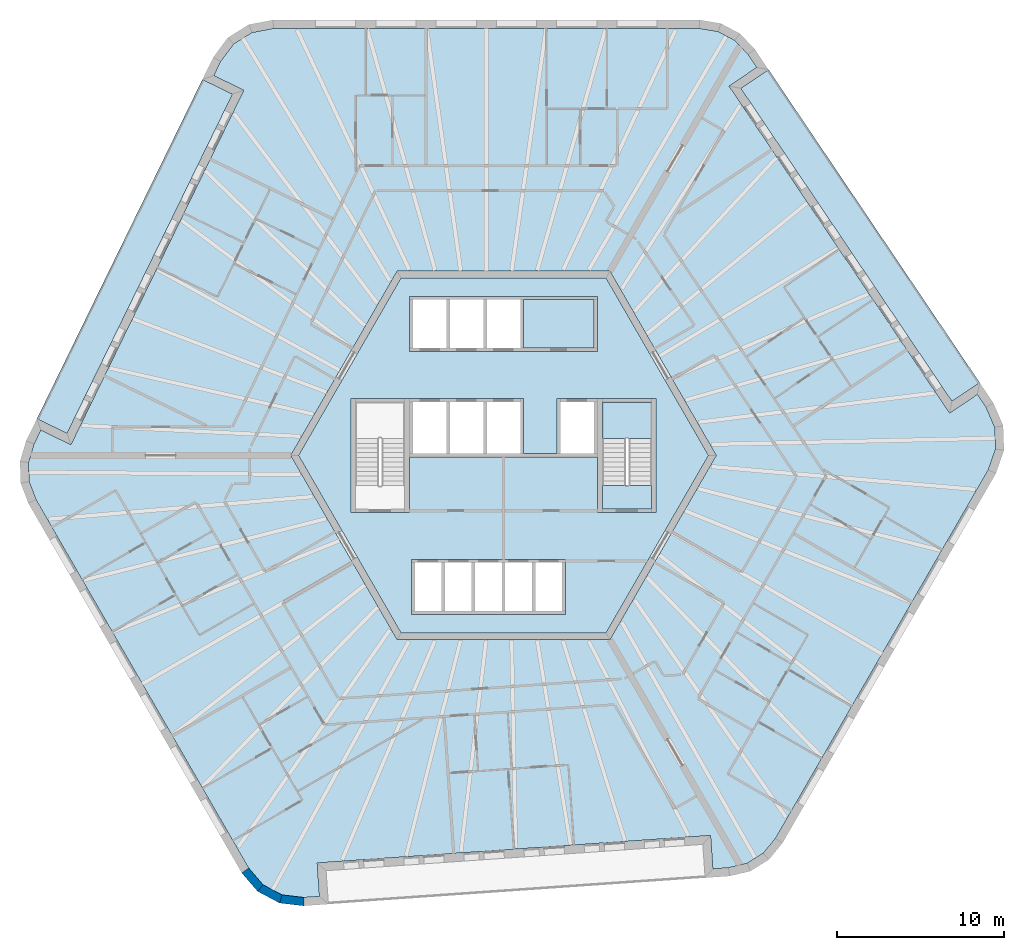
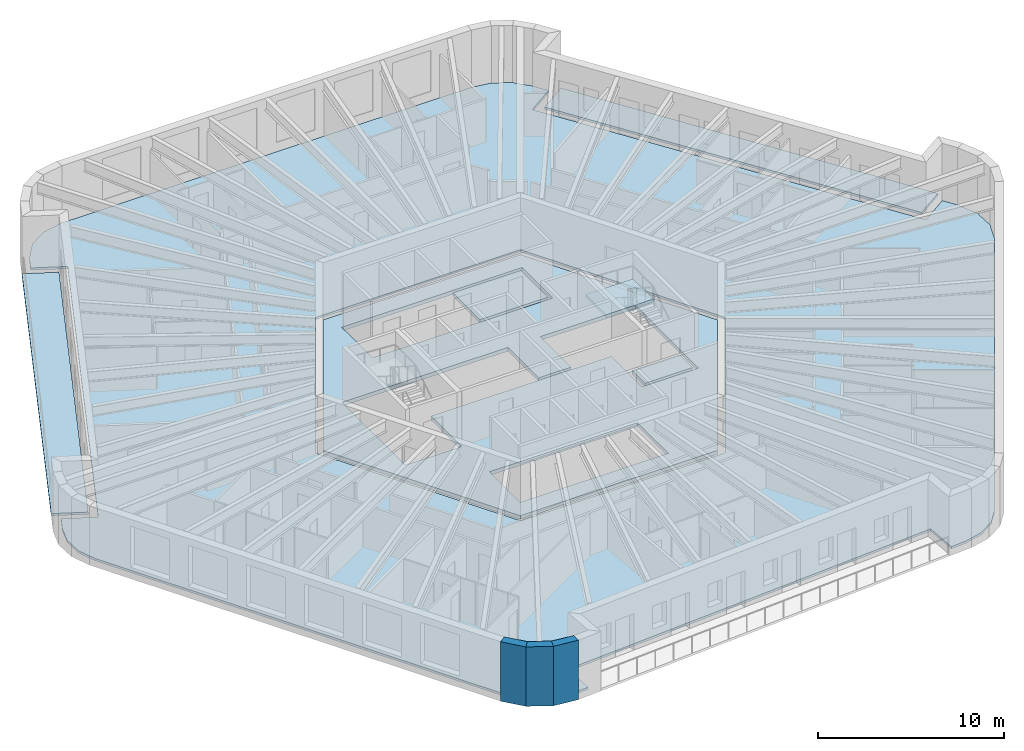
# One storey, part 2 of 12: 7 slabs, 3 walls, 1 element without a shape of its own.
"""IFC4 building model written with IfcOpenShell, lengths in metres."""

from ifc_helpers import new_model, si_unit, direction, frame, origin, place, context, subcontext, project, spatial, polyline, outline, extrude, material, layer, layer_set, type_object, element, aggregate, save


model = new_model("IFC4")

# Units and contexts
model_context = context("Model", 3, precision=1e-05, world=origin(), true_north=direction((0.0, 1.0)))
body_context = subcontext(model_context, "Body", "Model", "MODEL_VIEW")
ifc_project = project(units=[si_unit("LENGTHUNIT", "METRE"), si_unit("AREAUNIT", "SQUARE_METRE"), si_unit("VOLUMEUNIT", "CUBIC_METRE"), si_unit("PLANEANGLEUNIT", "RADIAN"), si_unit("MASSUNIT", "GRAM", prefix="KILO")], contexts=[model_context])

# Site, building, storey
site_placement = place(None, origin())
site = spatial("IfcSite", under=ifc_project, at=site_placement, CompositionType="ELEMENT")
building_placement = place(site_placement, origin())
building = spatial("IfcBuilding", under=site, at=building_placement, Name="Tarnside Tower", CompositionType="ELEMENT")
storey_placement = place(building_placement, frame((0.0, 0.0, 260.10009765625)))
storey = spatial("IfcBuildingStorey", under=building, at=storey_placement, Name="L62", CompositionType="ELEMENT", Elevation=260.10009765625)

# Slabs
ifc_material_1 = material(Name="Concrete C35/45", Category="concrete")
ifc_layer_1 = layer(ifc_material_1, 0.14990234375)
ifc_layer_set_1 = layer_set([ifc_layer_1], Name="Composite floor slab 150")
slab_type_1 = type_object("IfcSlabType", Name="Composite floor slab 150", PredefinedType="FLOOR", material=ifc_layer_set_1)
slab_1_placement = place(storey_placement, frame((0.0, 0.0, -0.150146484375)))
element("IfcSlab", 1, at=slab_1_placement, inside=storey, type_object=slab_type_1, Name="Floor slab L62", PredefinedType="FLOOR", context=body_context, shape_type="SweptSolid", body=[
    extrude(outline(polyline([(12.81689453125, 25.312744140625), (13.818115234375, 24.7802734375), (14.610595703125, 23.940185546875), (15.130615234375, 23.169677734375), (13.472412109375, 22.05126953125), (26.638427734375, 2.53173828125), (28.29638671875, 3.650146484375), (28.814697265625, 2.8818359375), (29.336669921875, 1.671875), (29.3818359375, 0.378662109375), (28.945556640625, -0.864990234375), (16.2451171875, -22.86279296875), (15.51318359375, -23.756103515625), (14.55126953125, -24.35693359375), (13.427490234375, -24.623291015625), (12.500244140625, -24.688232421875), (12.360595703125, -22.693115234375), (-11.126708984375, -24.33544921875), (-10.9873046875, -26.33056640625), (-11.91162109375, -26.395263671875), (-13.220458984375, -26.2421875), (-14.363037109375, -25.634765625), (-15.2216796875, -24.635009765625), (-27.922119140625, -2.63720703125), (-28.329833984375, -1.556640625), (-28.369384765625, -0.42333984375), (-28.0380859375, 0.68310546875), (-27.630615234375, 1.5185546875), (-25.8330078125, 0.641845703125), (-15.51171875, 21.8037109375), (-17.309326171875, 22.680419921875), (-16.903076171875, 23.51318359375), (-16.1162109375, 24.5703125), (-15.018798828125, 25.256103515625), (-13.723876953125, 25.5), (11.67724609375, 25.5), (12.81689453125, 25.312744140625)]), holes=[polyline([(-12.70166015625, 0.0), (-6.350830078125, -11.0), (6.350830078125, -11.0), (12.70166015625, 0.0), (6.350830078125, 11.0), (-6.350830078125, 11.0), (-12.70166015625, 0.0)])]), origin(), (0.0, 0.0, 1.0), 0.150146484375),
])
ifc_material_2 = material(Name="Concrete C40/50", Category="concrete")
ifc_layer_2 = layer(ifc_material_2, 0.25)
ifc_layer_set_2 = layer_set([ifc_layer_2], Name="Core slab C40/50")
slab_type_2 = type_object("IfcSlabType", Name="Core slab C40/50", PredefinedType="FLOOR", material=ifc_layer_set_2)
slab_2_placement = place(storey_placement, frame((0.0, 0.0, -0.25)))
element("IfcSlab", 2, at=slab_2_placement, inside=storey, type_object=slab_type_2, Name="L62 core floor slab 1", PredefinedType="FLOOR", context=body_context, shape_type="SweptSolid", body=[
    extrude(outline(polyline([(6.119873046875, 10.60009765625), (12.23974609375, 0.0), (6.119873046875, -10.60009765625), (-6.119873046875, -10.60009765625), (-12.23974609375, 0.0), (-6.119873046875, 10.60009765625), (6.119873046875, 10.60009765625)]), holes=[polyline([(-5.5, -9.5), (3.699951171875, -9.5), (3.699951171875, -9.300048828125), (3.699951171875, -6.39990234375), (3.699951171875, -6.199951171875), (-5.5, -6.199951171875), (-5.5, -6.39990234375), (-5.5, -9.300048828125), (-5.5, -9.5)]), polyline([(-5.60009765625, -3.39990234375), (-5.60009765625, -0.10009765625), (5.60009765625, -0.10009765625), (5.60009765625, -3.39990234375), (5.89990234375, -3.39990234375), (8.85009765625, -3.39990234375), (9.10009765625, -3.39990234375), (9.10009765625, 3.39990234375), (8.85009765625, 3.39990234375), (5.89990234375, 3.39990234375), (5.60009765625, 3.39990234375), (3.39990234375, 3.39990234375), (3.199951171875, 3.39990234375), (3.199951171875, 0.10009765625), (1.199951171875, 0.10009765625), (1.199951171875, 3.39990234375), (1.0, 3.39990234375), (-5.60009765625, 3.39990234375), (-5.89990234375, 3.39990234375), (-8.85009765625, 3.39990234375), (-9.10009765625, 3.39990234375), (-9.10009765625, -3.39990234375), (-8.85009765625, -3.39990234375), (-5.89990234375, -3.39990234375), (-5.60009765625, -3.39990234375)]), polyline([(-5.60009765625, 6.199951171875), (5.60009765625, 6.199951171875), (5.60009765625, 6.39990234375), (5.60009765625, 9.300048828125), (5.60009765625, 9.5), (-5.60009765625, 9.5), (-5.60009765625, 9.300048828125), (-5.60009765625, 6.39990234375), (-5.60009765625, 6.199951171875)])]), origin(), (0.0, 0.0, 1.0), 0.25),
])
slab_3_placement = place(storey_placement, frame((0.0, 0.0, -0.25)))
element("IfcSlab", 3, at=slab_3_placement, inside=storey, type_object=slab_type_2, Name="L62 core floor slab 3", PredefinedType="FLOOR", context=body_context, shape_type="SweptSolid", body=[
    extrude(outline(polyline([(5.89990234375, -1.800048828125), (8.85009765625, -1.800048828125), (8.85009765625, -3.199951171875), (5.89990234375, -3.199951171875), (5.89990234375, -1.800048828125)])), origin(), (0.0, 0.0, 1.0), 0.25),
])
slab_4_placement = place(storey_placement, frame((0.0, 0.0, -0.25)))
element("IfcSlab", 4, at=slab_4_placement, inside=storey, type_object=slab_type_2, Name="L62 core floor slab 4", PredefinedType="FLOOR", context=body_context, shape_type="SweptSolid", body=[
    extrude(outline(polyline([(5.39990234375, 6.39990234375), (1.199951171875, 6.39990234375), (1.199951171875, 9.300048828125), (5.39990234375, 9.300048828125), (5.39990234375, 6.39990234375)])), origin(), (0.0, 0.0, 1.0), 0.25),
])
ifc_material_3 = material(Name="Timber decking", Category="wood")
ifc_layer_3 = layer(ifc_material_3, 0.0400390625)
ifc_material_4 = material(Name="Concrete C60/75 precast", Category="concrete")
ifc_layer_4 = layer(ifc_material_4, 0.110107421875)
ifc_layer_set_3 = layer_set([ifc_layer_3, ifc_layer_4], Name="Loggia deck 150")
slab_type_3 = type_object("IfcSlabType", Name="Loggia deck 150", PredefinedType="FLOOR", material=ifc_layer_set_3)
slab_5_placement = place(storey_placement, frame((0.0, 0.0, -0.150146484375)))
element("IfcSlab", 5, at=slab_5_placement, inside=storey, type_object=slab_type_3, Name="Loggia deck L62 F2", PredefinedType="FLOOR", context=body_context, shape_type="SweptSolid", body=[
    extrude(outline(polyline([(-16.180419921875, 21.573486328125), (-26.063232421875, 1.310302734375), (-27.86083984375, 2.187255859375), (-17.97802734375, 22.4501953125), (-16.180419921875, 21.573486328125)])), origin(), (0.0, 0.0, 1.0), 0.150146484375),
])
slab_6_placement = place(storey_placement, frame((0.0, 0.0, -0.150146484375)))
element("IfcSlab", 6, at=slab_6_placement, inside=storey, type_object=slab_type_3, Name="Loggia deck L62 F6", PredefinedType="FLOOR", context=body_context, shape_type="SweptSolid", body=[
    extrude(outline(polyline([(26.7734375, 3.225830078125), (14.16650390625, 21.916259765625), (15.82470703125, 23.03466796875), (28.431396484375, 4.34423828125), (26.7734375, 3.225830078125)])), origin(), (0.0, 0.0, 1.0), 0.150146484375),
])

# Stair, slab
stair_type = type_object("IfcStairType", Name="Exit stair 1400 clear", PredefinedType="HALF_TURN_STAIR", material=ifc_material_2)
stair_placement = place(storey_placement, origin())
stair = element("IfcStair", 7, at=stair_placement, inside=storey, type_object=stair_type, Name="L62 Exit stair 1", PredefinedType="HALF_TURN_STAIR")
ifc_layer_5 = layer(ifc_material_2, 0.199951171875)
ifc_layer_set_4 = layer_set([ifc_layer_5], Name="Stair landing 200 C40/50")
slab_type_4 = type_object("IfcSlabType", Name="Stair landing 200 C40/50", PredefinedType="LANDING", material=ifc_layer_set_4)
slab_7_placement = place(storey_placement, frame((0.0, 0.0, 1.75)))
slab_7 = element("IfcSlab", 8, at=slab_7_placement, type_object=slab_type_4, Name="ST1 landing 1", PredefinedType="LANDING", context=body_context, shape_type="SweptSolid", body=[
    extrude(outline(polyline([(8.85009765625, 1.0), (8.85009765625, 3.199951171875), (5.89990234375, 3.199951171875), (5.89990234375, 1.0), (8.85009765625, 1.0)])), origin(), (0.0, 0.0, 1.0), 0.199951171875),
])
aggregate(stair, [slab_7])

# Walls
ifc_material_5 = material(Name="Facing brick", Category="masonry")
ifc_layer_6 = layer(ifc_material_5, 0.10205078125)
ifc_layer_7 = layer(ifc_material_4, 0.298095703125)
ifc_material_6 = material(Name="Mineral wool insulation")
ifc_layer_8 = layer(ifc_material_6, 0.10009765625)
ifc_layer_set_5 = layer_set([ifc_layer_6, ifc_layer_7, ifc_layer_8], Name="Tube wall 500 brick faced")
wall_type = type_object("IfcWallType", Name="Tube wall 500 brick faced", PredefinedType="SOLIDWALL", material=ifc_layer_set_5)
wall_1_placement = place(storey_placement, frame((-15.426513671875, -24.7802734375, -0.150146484375), z_axis=(0.0, 0.0, 1.0), x_axis=(0.651616566281, -0.758548515619, 0.0)))
element("IfcWall", 9, at=wall_1_placement, inside=storey, type_object=wall_type, Name="Tube wall L62 F3 chord 13", PredefinedType="SOLIDWALL", context=body_context, shape_type="SweptSolid", body=[
    extrude(outline(polyline([(-0.0234375, -0.25), (1.435302734375, -0.25), (1.341064453125, 0.25), (0.0234375, 0.25), (-0.0234375, -0.25)])), origin(), (0.0, 0.0, 1.0), 3.900146484375),
])
wall_2_placement = place(storey_placement, frame((-14.52197265625, -25.833251953125, -0.150146484375), z_axis=(0.0, 0.0, 1.0), x_axis=(0.882926676147, -0.469510899286, 0.0)))
element("IfcWall", 10, at=wall_2_placement, inside=storey, type_object=wall_type, Name="Tube wall L62 F3 chord 14", PredefinedType="SOLIDWALL", context=body_context, shape_type="SweptSolid", body=[
    extrude(outline(polyline([(-0.047119140625, -0.25), (1.435546875, -0.25), (1.34130859375, 0.25), (0.047119140625, 0.25), (-0.047119140625, -0.25)])), origin(), (0.0, 0.0, 1.0), 3.900146484375),
])
wall_3_placement = place(storey_placement, frame((-13.296142578125, -26.485107421875, -0.150146484375), z_axis=(0.0, 0.0, 1.0), x_axis=(0.993239161627, -0.116086036245, 0.0)))
element("IfcWall", 11, at=wall_3_placement, inside=storey, type_object=wall_type, Name="Tube wall L62 F3 chord 15", PredefinedType="SOLIDWALL", context=body_context, shape_type="SweptSolid", body=[
    extrude(outline(polyline([(-0.047119140625, -0.25), (1.411376953125, -0.25), (1.364501953125, 0.25), (0.047119140625, 0.25), (-0.047119140625, -0.25)])), origin(), (0.0, 0.0, 1.0), 3.900146484375),
])

save(model, "model.ifc")
